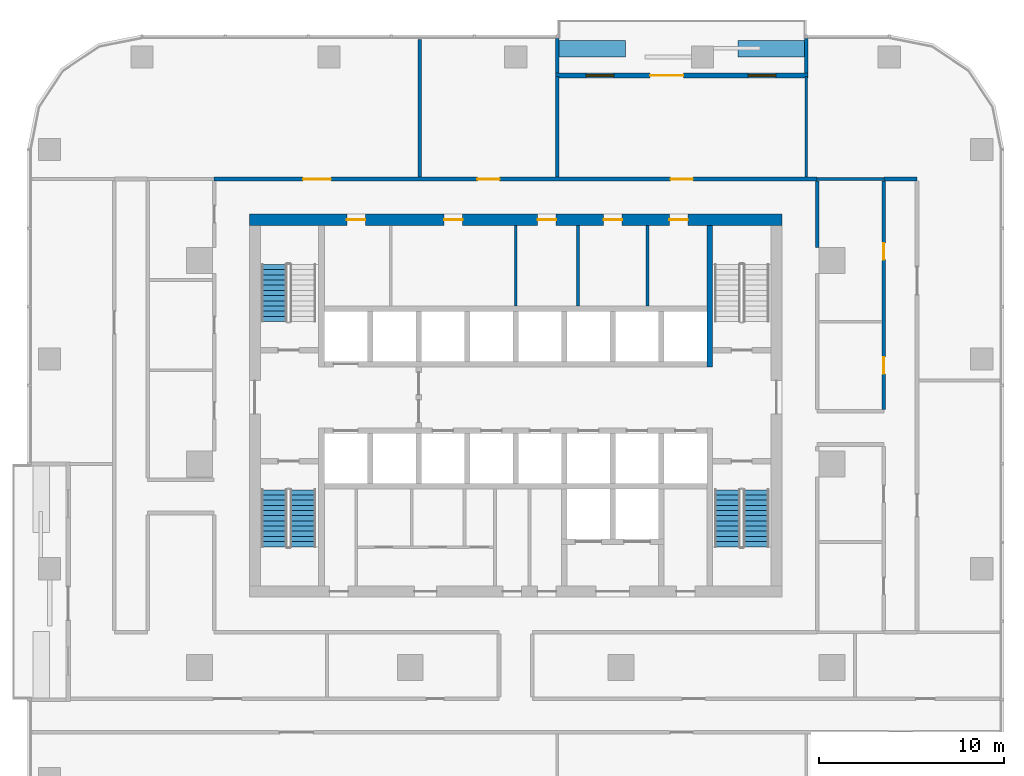
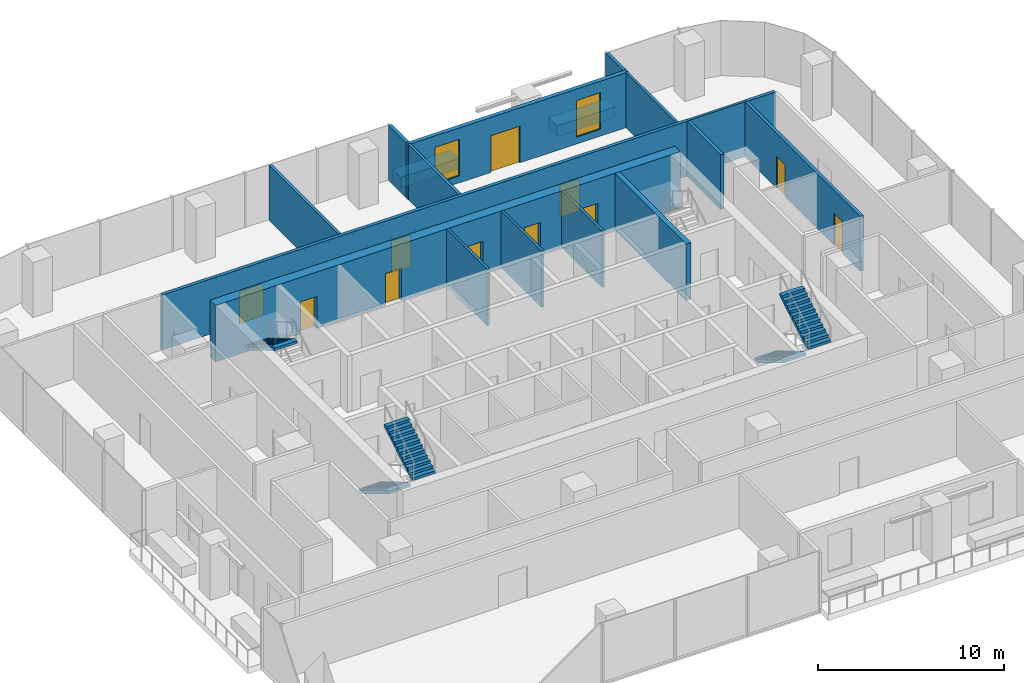
# One storey, part 10 of 14: 18 walls, 11 doors, 5 stair flights, 2 windows, 13 openings, 3 elements without a shape of their own.
"""IFC4 building model written with IfcOpenShell, lengths in metres."""

from ifc_helpers import new_model, si_unit, direction, frame, frame_2d, origin, place, context, subcontext, project, spatial, polyline, rectangle, outline, extrude, material, layer, layer_set, type_object, element, fill, aggregate, save


model = new_model("IFC4")

# Units and contexts
model_context = context("Model", 3, precision=1e-05, world=origin(), true_north=direction((0.0, 1.0)))
body_context = subcontext(model_context, "Body", "Model", "MODEL_VIEW")
ifc_project = project(units=[si_unit("LENGTHUNIT", "METRE"), si_unit("AREAUNIT", "SQUARE_METRE"), si_unit("VOLUMEUNIT", "CUBIC_METRE"), si_unit("PLANEANGLEUNIT", "RADIAN"), si_unit("MASSUNIT", "GRAM", prefix="KILO")], contexts=[model_context])

# Site, building, storey
site_placement = place(None, origin())
site = spatial("IfcSite", under=ifc_project, at=site_placement, CompositionType="ELEMENT")
building_placement = place(site_placement, origin())
building = spatial("IfcBuilding", under=site, at=building_placement, Name="Mopane Tessera Tower", CompositionType="ELEMENT")
storey_placement = place(building_placement, frame((0.0, 0.0, 189.0)))
storey = spatial("IfcBuildingStorey", under=building, at=storey_placement, Name="L39", CompositionType="ELEMENT", Elevation=189.0)

# Walls
ifc_material_1 = material(Name="Fire-rated gypsum board partition")
ifc_layer_1 = layer(ifc_material_1, 0.14990234375)
ifc_layer_set_1 = layer_set([ifc_layer_1], Name="Fire-rated gypsum board partition")
wall_type_1 = type_object("IfcWallType", Name="Core room partition 150 mm", PredefinedType="PARTITIONING", material=ifc_layer_set_1)
for number, where, z_axis, x_axis, name in (
    (1, (0.0, 8.550048828125, 0.0), (0.0, 0.0, 1.0), (0.0, 1.0, 0.0), "L39 Room partition"),
    (2, (3.375, 8.550048828125, 0.0), (0.0, 0.0, 1.0), (0.0, 1.0, 0.0), "L39 Room partition"),
    (3, (7.125, 8.550048828125, 0.0), (0.0, 0.0, 1.0), (0.0, 1.0, 0.0), "L39 Room partition"),
):
    element("IfcWall", number, at=place(storey_placement, frame(where, z_axis=z_axis, x_axis=x_axis)), inside=storey, type_object=wall_type_1, Name=name, PredefinedType="PARTITIONING", context=body_context, shape_type="SweptSolid", body=[
        extrude(rectangle(XDim=4.349853515625, YDim=0.14990234375, at=frame_2d((2.1748046875, 0.0))), origin(), (0.0, 0.0, 1.0), 3.699951171875),
    ])

# Wall, openings, doors
ifc_material_2 = material(Name="Concrete C70/85", Category="concrete")
ifc_layer_2 = layer(ifc_material_2, 0.60009765625)
ifc_layer_set_2 = layer_set([ifc_layer_2], Name="Concrete C70/85")
wall_type_2 = type_object("IfcWallType", Name="Core shear wall 600 mm", PredefinedType="SHEAR", material=ifc_layer_set_2)
wall_1_placement = place(storey_placement, frame((-14.39990234375, 13.199951171875, 0.0), z_axis=(0.0, 0.0, 1.0), x_axis=(1.0, 0.0, 0.0)))
wall_1 = element("IfcWall", 4, at=wall_1_placement, inside=storey, type_object=wall_type_2, Name="L39 Core wall north", PredefinedType="SHEAR", context=body_context, shape_type="SweptSolid", body=[
    extrude(rectangle(XDim=28.7998046875, YDim=0.60009765625, at=frame_2d((14.39990234375, 0.0))), origin(), (0.0, 0.0, 1.0), 3.699951171875),
])
opening_1_placement = place(wall_1_placement, frame((5.27490234375, 0.0, 0.0)))
opening_1 = element("IfcOpeningElement", 5, at=opening_1_placement, cuts=wall_1, Name="Opening RD1", PredefinedType="OPENING", context=body_context, shape_type="SweptSolid", body=[
    extrude(rectangle(XDim=1.0, YDim=2.10009765625, at=frame_2d((0.5, 1.050048828125))), frame((0.0, 0.31201171875, 0.0), z_axis=(0.0, -1.0, 0.0), x_axis=(1.0, 0.0, 0.0)), (0.0, 0.0, 1.0), 0.6240234375),
])
opening_2_placement = place(wall_1_placement, frame((10.52490234375, 0.0, 0.0)))
opening_2 = element("IfcOpeningElement", 6, at=opening_2_placement, cuts=wall_1, Name="Opening RD1", PredefinedType="OPENING", context=body_context, shape_type="SweptSolid", body=[
    extrude(rectangle(XDim=1.0, YDim=2.10009765625, at=frame_2d((0.5, 1.050048828125))), frame((0.0, 0.31201171875, 0.0), z_axis=(0.0, -1.0, 0.0), x_axis=(1.0, 0.0, 0.0)), (0.0, 0.0, 1.0), 0.6240234375),
])
opening_3_placement = place(wall_1_placement, frame((15.58740234375, 0.0, 0.0)))
opening_3 = element("IfcOpeningElement", 7, at=opening_3_placement, cuts=wall_1, Name="Opening RD1", PredefinedType="OPENING", context=body_context, shape_type="SweptSolid", body=[
    extrude(rectangle(XDim=1.0, YDim=2.10009765625, at=frame_2d((0.5, 1.050048828125))), frame((0.0, 0.31201171875, 0.0), z_axis=(0.0, -1.0, 0.0), x_axis=(1.0, 0.0, 0.0)), (0.0, 0.0, 1.0), 0.6240234375),
])
opening_4_placement = place(wall_1_placement, frame((19.14990234375, 0.0, 0.0)))
opening_4 = element("IfcOpeningElement", 8, at=opening_4_placement, cuts=wall_1, Name="Opening RD1", PredefinedType="OPENING", context=body_context, shape_type="SweptSolid", body=[
    extrude(rectangle(XDim=1.0, YDim=2.10009765625, at=frame_2d((0.5, 1.050048828125))), frame((0.0, 0.31201171875, 0.0), z_axis=(0.0, -1.0, 0.0), x_axis=(1.0, 0.0, 0.0)), (0.0, 0.0, 1.0), 0.6240234375),
])
opening_5_placement = place(wall_1_placement, frame((22.71240234375, 0.0, 0.0)))
opening_5 = element("IfcOpeningElement", 9, at=opening_5_placement, cuts=wall_1, Name="Opening RD1", PredefinedType="OPENING", context=body_context, shape_type="SweptSolid", body=[
    extrude(rectangle(XDim=1.0, YDim=2.10009765625, at=frame_2d((0.5, 1.050048828125))), frame((0.0, 0.31201171875, 0.0), z_axis=(0.0, -1.0, 0.0), x_axis=(1.0, 0.0, 0.0)), (0.0, 0.0, 1.0), 0.6240234375),
])
ifc_material_3 = material(Name="Timber door", Category="wood")
door_type_1 = type_object("IfcDoorType", Name="Core room door 1000 x 2100", OperationType="SINGLE_SWING_LEFT", PredefinedType="DOOR", material=ifc_material_3)
door_1_placement = place(opening_1_placement, origin())
door_1 = element("IfcDoor", 10, at=door_1_placement, inside=storey, type_object=door_type_1, Name="L39 Room door", OperationType="SINGLE_SWING_LEFT", OverallHeight=2.10009765625, OverallWidth=1.0, PredefinedType="DOOR", context=body_context, shape_type="SweptSolid", body=[
    extrude(rectangle(XDim=1.0, YDim=2.10009765625, at=frame_2d((0.5, 1.050048828125))), frame((0.0, 0.02490234375, 0.0), z_axis=(0.0, -1.0, 0.0), x_axis=(1.0, 0.0, 0.0)), (0.0, 0.0, 1.0), 0.050048828125),
])
fill(opening_1, door_1)
door_2_placement = place(opening_2_placement, origin())
door_2 = element("IfcDoor", 11, at=door_2_placement, inside=storey, type_object=door_type_1, Name="L39 Room door", OperationType="SINGLE_SWING_LEFT", OverallHeight=2.10009765625, OverallWidth=1.0, PredefinedType="DOOR", context=body_context, shape_type="SweptSolid", body=[
    extrude(rectangle(XDim=1.0, YDim=2.10009765625, at=frame_2d((0.5, 1.050048828125))), frame((0.0, 0.02490234375, 0.0), z_axis=(0.0, -1.0, 0.0), x_axis=(1.0, 0.0, 0.0)), (0.0, 0.0, 1.0), 0.050048828125),
])
fill(opening_2, door_2)
door_3_placement = place(opening_3_placement, origin())
door_3 = element("IfcDoor", 12, at=door_3_placement, inside=storey, type_object=door_type_1, Name="L39 Room door", OperationType="SINGLE_SWING_LEFT", OverallHeight=2.10009765625, OverallWidth=1.0, PredefinedType="DOOR", context=body_context, shape_type="SweptSolid", body=[
    extrude(rectangle(XDim=1.0, YDim=2.10009765625, at=frame_2d((0.5, 1.050048828125))), frame((0.0, 0.02490234375, 0.0), z_axis=(0.0, -1.0, 0.0), x_axis=(1.0, 0.0, 0.0)), (0.0, 0.0, 1.0), 0.050048828125),
])
fill(opening_3, door_3)
door_4_placement = place(opening_4_placement, origin())
door_4 = element("IfcDoor", 13, at=door_4_placement, inside=storey, type_object=door_type_1, Name="L39 Room door", OperationType="SINGLE_SWING_LEFT", OverallHeight=2.10009765625, OverallWidth=1.0, PredefinedType="DOOR", context=body_context, shape_type="SweptSolid", body=[
    extrude(rectangle(XDim=1.0, YDim=2.10009765625, at=frame_2d((0.5, 1.050048828125))), frame((0.0, 0.02490234375, 0.0), z_axis=(0.0, -1.0, 0.0), x_axis=(1.0, 0.0, 0.0)), (0.0, 0.0, 1.0), 0.050048828125),
])
fill(opening_4, door_4)
door_5_placement = place(opening_5_placement, origin())
door_5 = element("IfcDoor", 14, at=door_5_placement, inside=storey, type_object=door_type_1, Name="L39 Room door", OperationType="SINGLE_SWING_LEFT", OverallHeight=2.10009765625, OverallWidth=1.0, PredefinedType="DOOR", context=body_context, shape_type="SweptSolid", body=[
    extrude(rectangle(XDim=1.0, YDim=2.10009765625, at=frame_2d((0.5, 1.050048828125))), frame((0.0, 0.02490234375, 0.0), z_axis=(0.0, -1.0, 0.0), x_axis=(1.0, 0.0, 0.0)), (0.0, 0.0, 1.0), 0.050048828125),
])
fill(opening_5, door_5)

# Walls
ifc_material_4 = material(Name="Concrete C60/75", Category="concrete")
ifc_layer_3 = layer(ifc_material_4, 0.300048828125)
ifc_layer_set_3 = layer_set([ifc_layer_3], Name="Concrete C60/75")
wall_type_3 = type_object("IfcWallType", Name="Core spine wall 300 mm", PredefinedType="SHEAR", material=ifc_layer_set_3)
wall_2_placement = place(storey_placement, frame((10.5, 5.25, 0.0), z_axis=(0.0, 0.0, 1.0), x_axis=(0.0, 1.0, 0.0)))
element("IfcWall", 15, at=wall_2_placement, inside=storey, type_object=wall_type_3, Name="L39 Core spine wall", PredefinedType="SHEAR", context=body_context, shape_type="SweptSolid", body=[
    extrude(rectangle(XDim=7.64990234375, YDim=0.300048828125, at=frame_2d((3.824951171875, 0.0))), origin(), (0.0, 0.0, 1.0), 3.699951171875),
])
ifc_material_5 = material(Name="Gypsum board on staggered steel studs, double layer each face, acoustic mineral wool infill", Category="steel")
ifc_layer_4 = layer(ifc_material_5, 0.175048828125)
ifc_layer_set_4 = layer_set([ifc_layer_4], Name="Gypsum board on staggered steel studs, double layer each face, acoustic mineral wool infill")
wall_type_4 = type_object("IfcWallType", Name="Gypsum board acoustic partition 175, rated EI 60", PredefinedType="PARTITIONING", material=ifc_layer_set_4)
wall_3_placement = place(storey_placement, frame((-5.18994140625, 15.5, 0.0), z_axis=(0.0, 0.0, 1.0), x_axis=(0.0, 1.0, 0.0)))
element("IfcWall", 16, at=wall_3_placement, inside=storey, type_object=wall_type_4, Name="Partition L39:032", PredefinedType="PARTITIONING", context=body_context, shape_type="SweptSolid", body=[
    extrude(rectangle(XDim=7.449951171875, YDim=0.175048828125, at=frame_2d((3.72509765625, 0.0))), origin(), (0.0, 0.0, 1.0), 3.60009765625),
])
wall_4_placement = place(storey_placement, frame((2.2451171875, 15.5, 0.0), z_axis=(0.0, 0.0, 1.0), x_axis=(0.0, 1.0, 0.0)))
element("IfcWall", 17, at=wall_4_placement, inside=storey, type_object=wall_type_4, Name="Partition L39:036", PredefinedType="PARTITIONING", context=body_context, shape_type="SweptSolid", body=[
    extrude(rectangle(XDim=5.449951171875, YDim=0.175048828125, at=frame_2d((2.72509765625, 0.0))), origin(), (0.0, 0.0, 1.0), 3.60009765625),
])

# Wall, openings, doors
ifc_material_6 = material(Name="Gypsum board on steel studs, two layers each face, mineral wool infill", Category="steel")
ifc_layer_5 = layer(ifc_material_6, 0.199951171875)
ifc_layer_set_5 = layer_set([ifc_layer_5], Name="Gypsum board on steel studs, two layers each face, mineral wool infill")
wall_type_5 = type_object("IfcWallType", Name="Gypsum board corridor wall 200, rated EI 60", PredefinedType="PARTITIONING", material=ifc_layer_set_5)
wall_5_placement = place(storey_placement, frame((-16.300048828125, 15.39990234375, 0.0), z_axis=(0.0, 0.0, 1.0), x_axis=(1.0, 0.0, 0.0)))
wall_5 = element("IfcWall", 18, at=wall_5_placement, inside=storey, type_object=wall_type_5, Name="Partition L39:023", PredefinedType="PARTITIONING", context=body_context, shape_type="SweptSolid", body=[
    extrude(rectangle(XDim=32.60009765625, YDim=0.199951171875, at=frame_2d((16.300048828125, 0.0))), origin(), (0.0, 0.0, 1.0), 3.60009765625),
])
opening_6_placement = place(wall_5_placement, frame((24.677490234375, 0.0, 0.0)))
opening_6 = element("IfcOpeningElement", 19, at=opening_6_placement, cuts=wall_5, Name="Opening L39-13", PredefinedType="OPENING", context=body_context, shape_type="SweptSolid", body=[
    extrude(rectangle(XDim=1.199951171875, YDim=2.10009765625, at=frame_2d((0.60009765625, 1.050048828125))), frame((0.0, 0.112060546875, 0.0), z_axis=(0.0, -1.0, 0.0), x_axis=(1.0, 0.0, 0.0)), (0.0, 0.0, 1.0), 0.223876953125),
])
opening_7_placement = place(wall_5_placement, frame((4.804931640625, 0.0, 0.0)))
opening_7 = element("IfcOpeningElement", 20, at=opening_7_placement, cuts=wall_5, Name="Opening L39-19", PredefinedType="OPENING", context=body_context, shape_type="SweptSolid", body=[
    extrude(rectangle(XDim=1.5, YDim=2.10009765625, at=frame_2d((0.75, 1.050048828125))), frame((0.0, 0.112060546875, 0.0), z_axis=(0.0, -1.0, 0.0), x_axis=(1.0, 0.0, 0.0)), (0.0, 0.0, 1.0), 0.223876953125),
])
opening_8_placement = place(wall_5_placement, frame((14.2275390625, 0.0, 0.0)))
opening_8 = element("IfcOpeningElement", 21, at=opening_8_placement, cuts=wall_5, Name="Opening L39-20", PredefinedType="OPENING", context=body_context, shape_type="SweptSolid", body=[
    extrude(rectangle(XDim=1.199951171875, YDim=2.10009765625, at=frame_2d((0.60009765625, 1.050048828125))), frame((0.0, 0.112060546875, 0.0), z_axis=(0.0, -1.0, 0.0), x_axis=(1.0, 0.0, 0.0)), (0.0, 0.0, 1.0), 0.223876953125),
])
ifc_material_7 = material(Name="Timber veneered steel-framed fire door", Category="steel")
door_type_2 = type_object("IfcDoorType", Name="Fire door FD60 1200 x 2100", OperationType="SINGLE_SWING_LEFT", PredefinedType="DOOR", material=ifc_material_7)
door_6_placement = place(opening_6_placement, origin())
door_6 = element("IfcDoor", 22, at=door_6_placement, inside=storey, type_object=door_type_2, Name="Door L39-13", ObjectType="D15A", OperationType="SINGLE_SWING_RIGHT", OverallHeight=2.10009765625, OverallWidth=1.199951171875, PredefinedType="DOOR", context=body_context, shape_type="SweptSolid", body=[
    extrude(rectangle(XDim=1.199951171875, YDim=2.10009765625, at=frame_2d((0.60009765625, 1.050048828125))), frame((0.0, 0.02490234375, 0.0), z_axis=(0.0, -1.0, 0.0), x_axis=(1.0, 0.0, 0.0)), (0.0, 0.0, 1.0), 0.050048828125),
])
fill(opening_6, door_6)
door_7_placement = place(opening_8_placement, origin())
door_7 = element("IfcDoor", 23, at=door_7_placement, inside=storey, type_object=door_type_2, Name="Door L39-20", ObjectType="D15A", OperationType="SINGLE_SWING_LEFT", OverallHeight=2.10009765625, OverallWidth=1.199951171875, PredefinedType="DOOR", context=body_context, shape_type="SweptSolid", body=[
    extrude(rectangle(XDim=1.199951171875, YDim=2.10009765625, at=frame_2d((0.60009765625, 1.050048828125))), frame((0.0, 0.02490234375, 0.0), z_axis=(0.0, -1.0, 0.0), x_axis=(1.0, 0.0, 0.0)), (0.0, 0.0, 1.0), 0.050048828125),
])
fill(opening_8, door_7)
ifc_material_8 = material(Name="Timber veneered steel-framed fire door", Category="steel")
door_type_3 = type_object("IfcDoorType", Name="Fire door pair FD60 1500 x 2100", OperationType="DOUBLE_DOOR_SINGLE_SWING", PredefinedType="DOOR", material=ifc_material_8)
door_8_placement = place(opening_7_placement, origin())
door_8 = element("IfcDoor", 24, at=door_8_placement, inside=storey, type_object=door_type_3, Name="Door L39-19", ObjectType="D17A", OperationType="DOUBLE_DOOR_SINGLE_SWING", OverallHeight=2.10009765625, OverallWidth=1.5, PredefinedType="DOOR", context=body_context, shape_type="SweptSolid", body=[
    extrude(rectangle(XDim=1.5, YDim=2.10009765625, at=frame_2d((0.75, 1.050048828125))), frame((0.0, 0.02490234375, 0.0), z_axis=(0.0, -1.0, 0.0), x_axis=(1.0, 0.0, 0.0)), (0.0, 0.0, 1.0), 0.050048828125),
])
fill(opening_7, door_8)

# Walls
wall_6_placement = place(storey_placement, frame((19.89990234375, 15.39990234375, 0.0), z_axis=(0.0, 0.0, 1.0), x_axis=(1.0, 0.0, 0.0)))
element("IfcWall", 25, at=wall_6_placement, inside=storey, type_object=wall_type_5, Name="Partition L39:024", PredefinedType="PARTITIONING", context=body_context, shape_type="SweptSolid", body=[
    extrude(rectangle(XDim=1.800048828125, YDim=0.199951171875, at=frame_2d((0.89990234375, 0.0))), origin(), (0.0, 0.0, 1.0), 3.60009765625),
])
wall_7_placement = place(storey_placement, frame((16.300048828125, 11.699951171875, 0.0), z_axis=(0.0, 0.0, 1.0), x_axis=(0.0, 1.0, 0.0)))
element("IfcWall", 26, at=wall_7_placement, inside=storey, type_object=wall_type_5, Name="Partition L39:042", PredefinedType="PARTITIONING", context=body_context, shape_type="SweptSolid", body=[
    extrude(rectangle(XDim=3.60009765625, YDim=0.199951171875, at=frame_2d((1.800048828125, 0.0))), origin(), (0.0, 0.0, 1.0), 3.60009765625),
])

# Wall, openings, doors
wall_8_placement = place(storey_placement, frame((19.89990234375, 2.949951171875, 0.0), z_axis=(0.0, 0.0, 1.0), x_axis=(0.0, 1.0, 0.0)))
wall_8 = element("IfcWall", 27, at=wall_8_placement, inside=storey, type_object=wall_type_5, Name="Partition L39:045", PredefinedType="PARTITIONING", context=body_context, shape_type="SweptSolid", body=[
    extrude(rectangle(XDim=12.35009765625, YDim=0.199951171875, at=frame_2d((6.175048828125, 0.0))), origin(), (0.0, 0.0, 1.0), 3.60009765625),
])
opening_9_placement = place(wall_8_placement, frame((8.092529296875, 0.0, 0.0)))
opening_9 = element("IfcOpeningElement", 28, at=opening_9_placement, cuts=wall_8, Name="Opening L39-06", PredefinedType="OPENING", context=body_context, shape_type="SweptSolid", body=[
    extrude(rectangle(XDim=0.89990234375, YDim=2.10009765625, at=frame_2d((0.449951171875, 1.050048828125))), frame((0.0, 0.112060546875, 0.0), z_axis=(0.0, -1.0, 0.0), x_axis=(1.0, 0.0, 0.0)), (0.0, 0.0, 1.0), 0.223876953125),
])
opening_10_placement = place(wall_8_placement, frame((1.91748046875, 0.0, 0.0)))
opening_10 = element("IfcOpeningElement", 29, at=opening_10_placement, cuts=wall_8, Name="Opening L39-18", PredefinedType="OPENING", context=body_context, shape_type="SweptSolid", body=[
    extrude(rectangle(XDim=0.89990234375, YDim=2.10009765625, at=frame_2d((0.449951171875, 1.050048828125))), frame((0.0, 0.112060546875, 0.0), z_axis=(0.0, -1.0, 0.0), x_axis=(1.0, 0.0, 0.0)), (0.0, 0.0, 1.0), 0.223876953125),
])
ifc_material_9 = material(Name="Timber veneered steel-framed fire door", Category="steel")
door_type_4 = type_object("IfcDoorType", Name="Fire door FD60 900 x 2100", OperationType="SINGLE_SWING_LEFT", PredefinedType="DOOR", material=ifc_material_9)
door_9_placement = place(opening_9_placement, origin())
door_9 = element("IfcDoor", 30, at=door_9_placement, inside=storey, type_object=door_type_4, Name="Door L39-06", ObjectType="D10A", OperationType="SINGLE_SWING_LEFT", OverallHeight=2.10009765625, OverallWidth=0.89990234375, PredefinedType="DOOR", context=body_context, shape_type="SweptSolid", body=[
    extrude(rectangle(XDim=0.89990234375, YDim=2.10009765625, at=frame_2d((0.449951171875, 1.050048828125))), frame((0.0, 0.02490234375, 0.0), z_axis=(0.0, -1.0, 0.0), x_axis=(1.0, 0.0, 0.0)), (0.0, 0.0, 1.0), 0.050048828125),
])
fill(opening_9, door_9)
door_10_placement = place(opening_10_placement, origin())
door_10 = element("IfcDoor", 31, at=door_10_placement, inside=storey, type_object=door_type_4, Name="Door L39-18", ObjectType="D10A", OperationType="SINGLE_SWING_LEFT", OverallHeight=2.10009765625, OverallWidth=0.89990234375, PredefinedType="DOOR", context=body_context, shape_type="SweptSolid", body=[
    extrude(rectangle(XDim=0.89990234375, YDim=2.10009765625, at=frame_2d((0.449951171875, 1.050048828125))), frame((0.0, 0.02490234375, 0.0), z_axis=(0.0, -1.0, 0.0), x_axis=(1.0, 0.0, 0.0)), (0.0, 0.0, 1.0), 0.050048828125),
])
fill(opening_10, door_10)

# Walls
ifc_material_10 = material(Name="Gypsum board on steel studs, mineral wool infill", Category="steel")
ifc_layer_6 = layer(ifc_material_10, 0.14990234375)
ifc_layer_set_6 = layer_set([ifc_layer_6], Name="Gypsum board on steel studs, mineral wool infill")
wall_type_6 = type_object("IfcWallType", Name="Gypsum board partition 150, rated EI 60", PredefinedType="PARTITIONING", material=ifc_layer_set_6)
wall_9_placement = place(storey_placement, frame((16.300048828125, 15.39990234375, 0.0), z_axis=(0.0, 0.0, 1.0), x_axis=(1.0, 0.0, 0.0)))
element("IfcWall", 32, at=wall_9_placement, inside=storey, type_object=wall_type_6, Name="Partition L39:021", PredefinedType="PARTITIONING", context=body_context, shape_type="SweptSolid", body=[
    extrude(rectangle(XDim=3.599853515625, YDim=0.14990234375, at=frame_2d((1.7998046875, 0.0))), origin(), (0.0, 0.0, 1.0), 3.60009765625),
])
wall_10_placement = place(storey_placement, frame((15.7099609375, 15.5, 0.0), z_axis=(0.0, 0.0, 1.0), x_axis=(0.0, 1.0, 0.0)))
element("IfcWall", 33, at=wall_10_placement, inside=storey, type_object=wall_type_6, Name="Partition L39:038", PredefinedType="PARTITIONING", context=body_context, shape_type="SweptSolid", body=[
    extrude(rectangle(XDim=5.449951171875, YDim=0.14990234375, at=frame_2d((2.72509765625, 0.0))), origin(), (0.0, 0.0, 1.0), 3.60009765625),
])
ifc_material_11 = material(Name="Reinforced concrete C32/40 with waterproofing", Category="concrete")
ifc_layer_7 = layer(ifc_material_11, 0.89990234375)
ifc_layer_set_7 = layer_set([ifc_layer_7], Name="Reinforced concrete C32/40 with waterproofing")
wall_type_7 = type_object("IfcWallType", Name="Planter trough 3600 x 900", PredefinedType="STANDARD", material=ifc_layer_set_7)
for number, where, z_axis, x_axis, name in (
    (34, (15.611083984375, 22.449951171875, 0.0), (0.0, 0.0, 1.0), (-1.0, 0.0, 0.0), "e:nw:L39:N3:pl0"),
    (35, (5.9443359375, 22.449951171875, 0.0), (0.0, 0.0, 1.0), (-1.0, 0.0, 0.0), "e:nw:L39:N3:pl1"),
):
    element("IfcWall", number, at=place(storey_placement, frame(where, z_axis=z_axis, x_axis=x_axis)), inside=storey, type_object=wall_type_7, Name=name, PredefinedType="STANDARD", context=body_context, shape_type="SweptSolid", body=[
        extrude(rectangle(XDim=3.599853515625, YDim=0.89990234375, at=frame_2d((1.7998046875, 0.0))), origin(), (0.0, 0.0, 1.0), 0.699951171875),
    ])
ifc_material_12 = material(Name="Blockwork with glazed tile facing", Category="masonry")
ifc_layer_8 = layer(ifc_material_12, 0.199951171875)
ifc_layer_set_8 = layer_set([ifc_layer_8], Name="Blockwork with glazed tile facing")
wall_type_8 = type_object("IfcWallType", Name="Terrace cheek wall 200", PredefinedType="STANDARD", material=ifc_layer_set_8)
for number, where, z_axis, x_axis, name in (
    (36, (15.711181640625, 23.0, 0.0), (0.0, 0.0, 1.0), (0.0, -1.0, 0.0), "e:nw:L39:N3:cheeka"),
    (37, (2.244384765625, 23.0, 0.0), (0.0, 0.0, 1.0), (0.0, -1.0, 0.0), "e:nw:L39:N3:cheekb"),
):
    element("IfcWall", number, at=place(storey_placement, frame(where, z_axis=z_axis, x_axis=x_axis)), inside=storey, type_object=wall_type_8, Name=name, PredefinedType="STANDARD", context=body_context, shape_type="SweptSolid", body=[
        extrude(rectangle(XDim=1.875, YDim=0.199951171875, at=frame_2d((0.9375, 0.0))), origin(), (0.0, 0.0, 1.0), 3.60009765625),
    ])

# Wall, openings, windows, door
ifc_material_13 = material(Name="Blockwork with turquoise glazed tile facing", Category="masonry")
ifc_layer_9 = layer(ifc_material_13, 0.25)
ifc_layer_set_9 = layer_set([ifc_layer_9], Name="Blockwork with turquoise glazed tile facing")
wall_type_9 = type_object("IfcWallType", Name="Tile-clad external wall 250, turquoise", PredefinedType="STANDARD", material=ifc_layer_set_9)
wall_11_placement = place(storey_placement, frame((15.81103515625, 21.0, 0.0), z_axis=(0.0, 0.0, 1.0), x_axis=(-1.0, 0.0, 0.0)))
wall_11 = element("IfcWall", 38, at=wall_11_placement, inside=storey, type_object=wall_type_9, Name="e:nw:L39:N3:back", PredefinedType="STANDARD", context=body_context, shape_type="SweptSolid", body=[
    extrude(rectangle(XDim=13.66650390625, YDim=0.25, at=frame_2d((6.833251953125, 0.0))), origin(), (0.0, 0.0, 1.0), 3.60009765625),
])
opening_11_placement = place(wall_11_placement, frame((1.75, 0.0, 0.449951171875)))
opening_11 = element("IfcOpeningElement", 39, at=opening_11_placement, cuts=wall_11, Name="Opening NW393A", PredefinedType="OPENING", context=body_context, shape_type="SweptSolid", body=[
    extrude(rectangle(XDim=1.5, YDim=2.39990234375, at=frame_2d((0.75, 1.199951171875))), frame((0.0, 0.136962890625, 0.0), z_axis=(0.0, -1.0, 0.0), x_axis=(1.0, 0.0, 0.0)), (0.0, 0.0, 1.0), 0.27392578125),
])
opening_12_placement = place(wall_11_placement, frame((6.75, 0.0, 0.0)))
opening_12 = element("IfcOpeningElement", 40, at=opening_12_placement, cuts=wall_11, Name="Opening ND393", PredefinedType="OPENING", context=body_context, shape_type="SweptSolid", body=[
    extrude(rectangle(XDim=1.800048828125, YDim=2.39990234375, at=frame_2d((0.89990234375, 1.199951171875))), frame((0.0, 0.136962890625, 0.0), z_axis=(0.0, -1.0, 0.0), x_axis=(1.0, 0.0, 0.0)), (0.0, 0.0, 1.0), 0.27392578125),
])
opening_13_placement = place(wall_11_placement, frame((10.5, 0.0, 0.449951171875)))
opening_13 = element("IfcOpeningElement", 41, at=opening_13_placement, cuts=wall_11, Name="Opening NW393B", PredefinedType="OPENING", context=body_context, shape_type="SweptSolid", body=[
    extrude(rectangle(XDim=1.5, YDim=2.39990234375, at=frame_2d((0.75, 1.199951171875))), frame((0.0, 0.136962890625, 0.0), z_axis=(0.0, -1.0, 0.0), x_axis=(1.0, 0.0, 0.0)), (0.0, 0.0, 1.0), 0.27392578125),
])
ifc_material_14 = material(Name="Clear laminated glass", Category="glass")
window_type = type_object("IfcWindowType", Name="Fixed window 1500 x 2400", PartitioningType="SINGLE_PANEL", PredefinedType="WINDOW", material=ifc_material_14)
window_1_placement = place(opening_11_placement, origin())
window_1 = element("IfcWindow", 42, at=window_1_placement, inside=storey, type_object=window_type, Name="e:nw:L39:N3:win0", OverallHeight=2.39990234375, OverallWidth=1.5, PartitioningType="SINGLE_PANEL", PredefinedType="WINDOW", context=body_context, shape_type="SweptSolid", body=[
    extrude(rectangle(XDim=1.5, YDim=2.39990234375, at=frame_2d((0.75, 1.199951171875))), frame((0.0, 0.030029296875, 0.0), z_axis=(0.0, -1.0, 0.0), x_axis=(1.0, 0.0, 0.0)), (0.0, 0.0, 1.0), 0.06005859375),
])
fill(opening_11, window_1)
window_2_placement = place(opening_13_placement, origin())
window_2 = element("IfcWindow", 43, at=window_2_placement, inside=storey, type_object=window_type, Name="e:nw:L39:N3:win2", OverallHeight=2.39990234375, OverallWidth=1.5, PartitioningType="SINGLE_PANEL", PredefinedType="WINDOW", context=body_context, shape_type="SweptSolid", body=[
    extrude(rectangle(XDim=1.5, YDim=2.39990234375, at=frame_2d((0.75, 1.199951171875))), frame((0.0, 0.030029296875, 0.0), z_axis=(0.0, -1.0, 0.0), x_axis=(1.0, 0.0, 0.0)), (0.0, 0.0, 1.0), 0.06005859375),
])
fill(opening_13, window_2)
ifc_material_15 = material(Name="Aluminium and clear glass", Category="aluminium")
door_type_5 = type_object("IfcDoorType", Name="Terrace double door 1800 x 2400", OperationType="DOUBLE_DOOR_SINGLE_SWING", PredefinedType="DOOR", material=ifc_material_15)
door_11_placement = place(opening_12_placement, origin())
door_11 = element("IfcDoor", 44, at=door_11_placement, inside=storey, type_object=door_type_5, Name="e:nw:L39:N3:door", ObjectType="D1", OperationType="DOUBLE_DOOR_SINGLE_SWING", OverallHeight=2.39990234375, OverallWidth=1.800048828125, PredefinedType="DOOR", context=body_context, shape_type="SweptSolid", body=[
    extrude(rectangle(XDim=1.800048828125, YDim=2.39990234375, at=frame_2d((0.89990234375, 1.199951171875))), frame((0.0, 0.02490234375, 0.0), z_axis=(0.0, -1.0, 0.0), x_axis=(1.0, 0.0, 0.0)), (0.0, 0.0, 1.0), 0.050048828125),
])
fill(opening_12, door_11)

# Stair, stair flights
ifc_material_16 = material(Name="Concrete C50/60", Category="concrete")
stair_type = type_object("IfcStairType", Name="Escape stair 1400 mm, riser 167 mm", PredefinedType="HALF_TURN_STAIR", material=ifc_material_16)
stair_1_placement = place(storey_placement, origin())
stair_1 = element("IfcStair", 45, at=stair_1_placement, inside=storey, type_object=stair_type, Name="L39 Escape stair south-west", PredefinedType="HALF_TURN_STAIR")
ifc_material_17 = material(Name="Concrete C50/60", Category="concrete")
stair_flight_type = type_object("IfcStairFlightType", Name="Escape stair flight 1400 mm", PredefinedType="STRAIGHT", material=ifc_material_17)
stair_flight_1_placement = place(storey_placement, frame((-13.050048828125, -1.39990234375, 0.0), z_axis=(0.0, 0.0, 1.0), x_axis=(0.0, -1.0, 0.0)))
stair_flight_1 = element("IfcStairFlight", 46, at=stair_flight_1_placement, type_object=stair_flight_type, Name="ST1 flight 1", NumberOfRisers=12, NumberOfTreads=11, PredefinedType="STRAIGHT", RiserHeight=0.166666667, TreadLength=0.28, context=body_context, shape_type="SweptSolid", body=[
    extrude(outline(polyline([(0.0, 0.0), (0.0, 0.166748046875), (0.280029296875, 0.166748046875), (0.280029296875, 0.333251953125), (0.56005859375, 0.333251953125), (0.56005859375, 0.5), (0.840087890625, 0.5), (0.840087890625, 0.666748046875), (1.1201171875, 0.666748046875), (1.1201171875, 0.833251953125), (1.39990234375, 0.833251953125), (1.39990234375, 1.0), (1.679931640625, 1.0), (1.679931640625, 1.166748046875), (1.9599609375, 1.166748046875), (1.9599609375, 1.333251953125), (2.239990234375, 1.333251953125), (2.239990234375, 1.5), (2.52001953125, 1.5), (2.52001953125, 1.666748046875), (2.800048828125, 1.666748046875), (2.800048828125, 1.833251953125), (3.080078125, 1.833251953125), (3.080078125, 2.0), (3.080078125, 1.658935546875), (0.29296875, 0.0), (0.0, 0.0)])), frame((0.0, 0.699951171875, 0.0), z_axis=(0.0, -1.0, 0.0), x_axis=(1.0, 0.0, 0.0)), (0.0, 0.0, 1.0), 1.39990234375),
])
stair_flight_2_placement = place(storey_placement, frame((-11.5, -4.47998046875, 2.0), z_axis=(0.0, 0.0, 1.0), x_axis=(0.0, 1.0, 0.0)))
stair_flight_2 = element("IfcStairFlight", 47, at=stair_flight_2_placement, type_object=stair_flight_type, Name="ST1 flight 2", NumberOfRisers=12, NumberOfTreads=11, PredefinedType="STRAIGHT", RiserHeight=0.166666667, TreadLength=0.28, context=body_context, shape_type="SweptSolid", body=[
    extrude(outline(polyline([(0.0, 0.0), (0.0, 0.166748046875), (0.280029296875, 0.166748046875), (0.280029296875, 0.333251953125), (0.56005859375, 0.333251953125), (0.56005859375, 0.5), (0.840087890625, 0.5), (0.840087890625, 0.666748046875), (1.1201171875, 0.666748046875), (1.1201171875, 0.833251953125), (1.39990234375, 0.833251953125), (1.39990234375, 1.0), (1.679931640625, 1.0), (1.679931640625, 1.166748046875), (1.9599609375, 1.166748046875), (1.9599609375, 1.333251953125), (2.239990234375, 1.333251953125), (2.239990234375, 1.5), (2.52001953125, 1.5), (2.52001953125, 1.666748046875), (2.800048828125, 1.666748046875), (2.800048828125, 1.833251953125), (3.080078125, 1.833251953125), (3.080078125, 2.0), (3.080078125, 1.658935546875), (0.29296875, 0.0), (0.0, 0.0)])), frame((0.0, 0.699951171875, 0.0), z_axis=(0.0, -1.0, 0.0), x_axis=(1.0, 0.0, 0.0)), (0.0, 0.0, 1.0), 1.39990234375),
])
aggregate(stair_1, [stair_flight_1, stair_flight_2])

# Stair, stair flight
stair_2_placement = place(storey_placement, origin())
stair_2 = element("IfcStair", 48, at=stair_2_placement, inside=storey, type_object=stair_type, Name="L39 Escape stair north-west", PredefinedType="HALF_TURN_STAIR")
stair_flight_3_placement = place(storey_placement, frame((-13.050048828125, 10.780029296875, 2.0), z_axis=(0.0, 0.0, 1.0), x_axis=(0.0, -1.0, 0.0)))
stair_flight_3 = element("IfcStairFlight", 49, at=stair_flight_3_placement, type_object=stair_flight_type, Name="ST2 flight 2", NumberOfRisers=12, NumberOfTreads=11, PredefinedType="STRAIGHT", RiserHeight=0.166666667, TreadLength=0.28, context=body_context, shape_type="SweptSolid", body=[
    extrude(outline(polyline([(0.0, 0.0), (0.0, 0.166748046875), (0.280029296875, 0.166748046875), (0.280029296875, 0.333251953125), (0.56005859375, 0.333251953125), (0.56005859375, 0.5), (0.840087890625, 0.5), (0.840087890625, 0.666748046875), (1.1201171875, 0.666748046875), (1.1201171875, 0.833251953125), (1.39990234375, 0.833251953125), (1.39990234375, 1.0), (1.679931640625, 1.0), (1.679931640625, 1.166748046875), (1.9599609375, 1.166748046875), (1.9599609375, 1.333251953125), (2.239990234375, 1.333251953125), (2.239990234375, 1.5), (2.52001953125, 1.5), (2.52001953125, 1.666748046875), (2.800048828125, 1.666748046875), (2.800048828125, 1.833251953125), (3.080078125, 1.833251953125), (3.080078125, 2.0), (3.080078125, 1.658935546875), (0.29296875, 0.0), (0.0, 0.0)])), frame((0.0, 0.699951171875, 0.0), z_axis=(0.0, -1.0, 0.0), x_axis=(1.0, 0.0, 0.0)), (0.0, 0.0, 1.0), 1.39990234375),
])
aggregate(stair_2, [stair_flight_3])

# Stair, stair flights
stair_3_placement = place(storey_placement, origin())
stair_3 = element("IfcStair", 50, at=stair_3_placement, inside=storey, type_object=stair_type, Name="L39 Escape stair south-east", PredefinedType="HALF_TURN_STAIR")
stair_flight_4_placement = place(storey_placement, frame((11.449951171875, -1.39990234375, 0.0), z_axis=(0.0, 0.0, 1.0), x_axis=(0.0, -1.0, 0.0)))
stair_flight_4 = element("IfcStairFlight", 51, at=stair_flight_4_placement, type_object=stair_flight_type, Name="ST3 flight 1", NumberOfRisers=12, NumberOfTreads=11, PredefinedType="STRAIGHT", RiserHeight=0.166666667, TreadLength=0.28, context=body_context, shape_type="SweptSolid", body=[
    extrude(outline(polyline([(0.0, 0.0), (0.0, 0.166748046875), (0.280029296875, 0.166748046875), (0.280029296875, 0.333251953125), (0.56005859375, 0.333251953125), (0.56005859375, 0.5), (0.840087890625, 0.5), (0.840087890625, 0.666748046875), (1.1201171875, 0.666748046875), (1.1201171875, 0.833251953125), (1.39990234375, 0.833251953125), (1.39990234375, 1.0), (1.679931640625, 1.0), (1.679931640625, 1.166748046875), (1.9599609375, 1.166748046875), (1.9599609375, 1.333251953125), (2.239990234375, 1.333251953125), (2.239990234375, 1.5), (2.52001953125, 1.5), (2.52001953125, 1.666748046875), (2.800048828125, 1.666748046875), (2.800048828125, 1.833251953125), (3.080078125, 1.833251953125), (3.080078125, 2.0), (3.080078125, 1.658935546875), (0.29296875, 0.0), (0.0, 0.0)])), frame((0.0, 0.699951171875, 0.0), z_axis=(0.0, -1.0, 0.0), x_axis=(1.0, 0.0, 0.0)), (0.0, 0.0, 1.0), 1.39990234375),
])
stair_flight_5_placement = place(storey_placement, frame((13.0, -4.47998046875, 2.0), z_axis=(0.0, 0.0, 1.0), x_axis=(0.0, 1.0, 0.0)))
stair_flight_5 = element("IfcStairFlight", 52, at=stair_flight_5_placement, type_object=stair_flight_type, Name="ST3 flight 2", NumberOfRisers=12, NumberOfTreads=11, PredefinedType="STRAIGHT", RiserHeight=0.166666667, TreadLength=0.28, context=body_context, shape_type="SweptSolid", body=[
    extrude(outline(polyline([(0.0, 0.0), (0.0, 0.166748046875), (0.280029296875, 0.166748046875), (0.280029296875, 0.333251953125), (0.56005859375, 0.333251953125), (0.56005859375, 0.5), (0.840087890625, 0.5), (0.840087890625, 0.666748046875), (1.1201171875, 0.666748046875), (1.1201171875, 0.833251953125), (1.39990234375, 0.833251953125), (1.39990234375, 1.0), (1.679931640625, 1.0), (1.679931640625, 1.166748046875), (1.9599609375, 1.166748046875), (1.9599609375, 1.333251953125), (2.239990234375, 1.333251953125), (2.239990234375, 1.5), (2.52001953125, 1.5), (2.52001953125, 1.666748046875), (2.800048828125, 1.666748046875), (2.800048828125, 1.833251953125), (3.080078125, 1.833251953125), (3.080078125, 2.0), (3.080078125, 1.658935546875), (0.29296875, 0.0), (0.0, 0.0)])), frame((0.0, 0.699951171875, 0.0), z_axis=(0.0, -1.0, 0.0), x_axis=(1.0, 0.0, 0.0)), (0.0, 0.0, 1.0), 1.39990234375),
])
aggregate(stair_3, [stair_flight_4, stair_flight_5])

save(model, "model.ifc")
